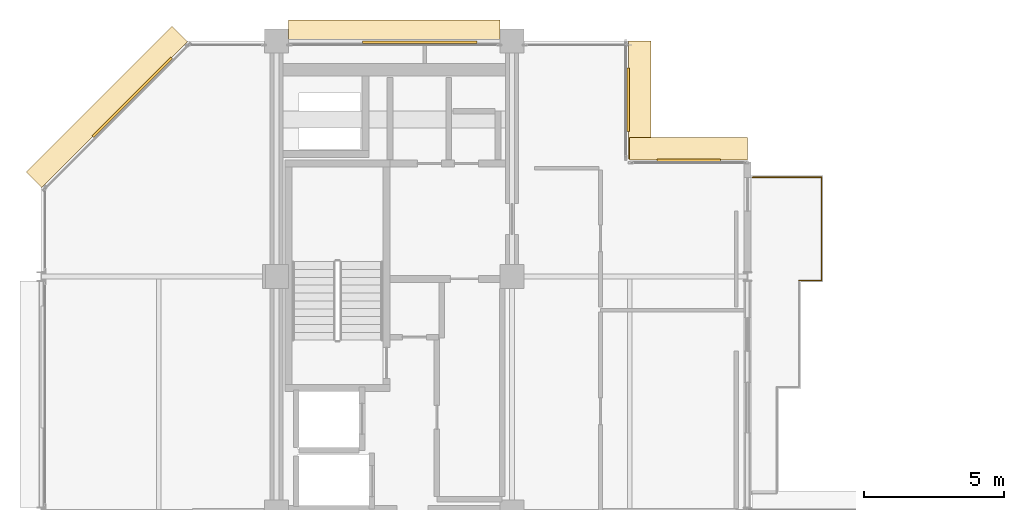
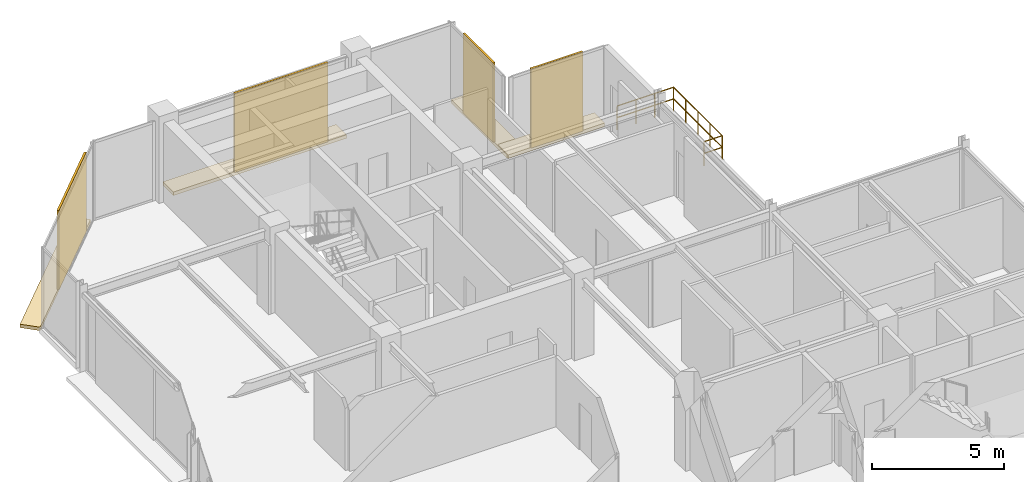
# One storey, part 25 of 25: 8 coverings, 3 railings.
"""IFC4 building model written with IfcOpenShell, lengths in metres."""

import ifcopenshell
import ifcopenshell.guid

model = None  # the IFC model being written
_history = None  # IfcOwnerHistory: only IFC2X3 demands one
_inside = {}  # id of a spatial element -> (the spatial element, [elements in it])
_under = {}  # id of a project, library or spatial element -> (it, [spatial elements below it])
_declared = {}  # id of a project -> (the project, [libraries it declares])
_typed = {}  # id of a type object -> (the type object, [elements of that type])
_made_of = {}  # id of a material, layer set ... -> (it, [elements and type objects made of it])


def new_model(schema):
    """Start an empty IFC model of exactly this schema.

    Asked for "IFC4X3", IfcOpenShell would pick the latest addendum, in which some entities
    have other attributes; the version numbers below select the first issue.
    IFC2X3 requires an IfcOwnerHistory on every rooted entity: one is made here for all.
    """
    global model, _history
    if schema == "IFC4X3":
        model = ifcopenshell.file(schema_version=(4, 3, 0, 0))
    else:
        model = ifcopenshell.file(schema=schema)
    _inside.clear()
    _under.clear()
    _declared.clear()
    _typed.clear()
    _made_of.clear()
    _history = None
    if model.schema == "IFC2X3":
        org = make("IfcOrganization", Name="unknown")
        user = make(
            "IfcPersonAndOrganization",
            ThePerson=make("IfcPerson", FamilyName="unknown"),
            TheOrganization=org,
        )
        app = make(
            "IfcApplication",
            ApplicationDeveloper=org,
            Version="unknown",
            ApplicationFullName="unknown",
            ApplicationIdentifier="unknown",
        )
        _history = make(
            "IfcOwnerHistory",
            OwningUser=user,
            OwningApplication=app,
            ChangeAction="ADDED",
            CreationDate=0,
        )
    return model


def make(cls, **values):
    """One entity of the class cls with the attributes given. An attribute that is None is left unset."""
    return model.create_entity(
        cls, **{name: value for name, value in values.items() if value is not None}
    )


def rooted(cls, **values):
    """An entity with a GlobalId (a new one), such as an element, a storey or a relation."""
    return make(cls, GlobalId=ifcopenshell.guid.new(), OwnerHistory=_history, **values)


def si_unit(unit_type, name, prefix=None):
    """IfcSIUnit, for example si_unit("LENGTHUNIT", "METRE", prefix="MILLI")."""
    return make("IfcSIUnit", UnitType=unit_type, Prefix=prefix, Name=name)


def assignment(units):
    """IfcUnitAssignment: the units of a project."""
    return None if units is None else make("IfcUnitAssignment", Units=units)


def point(xyz):
    """IfcCartesianPoint."""
    return None if xyz is None else make("IfcCartesianPoint", Coordinates=xyz)


def direction(xyz):
    """IfcDirection."""
    return None if xyz is None else make("IfcDirection", DirectionRatios=xyz)


def frame(location, z_axis=None, x_axis=None):
    """IfcAxis2Placement3D, a coordinate frame: its origin and axes. An axis left out is left unset."""
    return make(
        "IfcAxis2Placement3D",
        Location=point(location),
        Axis=direction(z_axis),
        RefDirection=direction(x_axis),
    )


def frame_2d(location, x_axis=None):
    """IfcAxis2Placement2D, a coordinate frame in the plane: its origin and x axis."""
    return make(
        "IfcAxis2Placement2D", Location=point(location), RefDirection=direction(x_axis)
    )


def origin():
    """The frame at (0, 0, 0) with its axes left unset."""
    return frame((0.0, 0.0, 0.0))


def origin_2d():
    """The frame at (0, 0) in the plane with its x axis left unset."""
    return frame_2d((0.0, 0.0))


def place(relative_to, where):
    """IfcLocalPlacement: puts the frame where relative to a parent placement (None: the world)."""
    return make(
        "IfcLocalPlacement", PlacementRelTo=relative_to, RelativePlacement=where
    )


def context(
    kind, dimensions, precision=None, world=None, true_north=None, identifier=None
):
    """IfcGeometricRepresentationContext, for example the 3D "Model" context."""
    return make(
        "IfcGeometricRepresentationContext",
        ContextIdentifier=identifier,
        ContextType=kind,
        CoordinateSpaceDimension=dimensions,
        Precision=precision,
        WorldCoordinateSystem=world,
        TrueNorth=true_north,
    )


def subcontext(parent, identifier, kind, view, scale=None):
    """IfcGeometricRepresentationSubContext, for example "Body" below "Model"."""
    return make(
        "IfcGeometricRepresentationSubContext",
        ContextIdentifier=identifier,
        ContextType=kind,
        ParentContext=parent,
        TargetScale=scale,
        TargetView=view,
    )


def project(units=None, contexts=None):
    """IfcProject with its units and contexts."""
    return rooted(
        "IfcProject",
        Name="project",
        RepresentationContexts=contexts,
        UnitsInContext=assignment(units),
    )


def spatial(cls, under=None, at=None, **own):
    """A site, building, storey or space (cls), placed at a placement, below another one or the project."""
    s = rooted(cls, ObjectPlacement=at, **own)
    if under is not None:
        _under.setdefault(under.id(), (under, []))[1].append(s)
    return s


def polyline(points):
    """IfcPolyline through the points."""
    return make("IfcPolyline", Points=[point(p) for p in points])


def profile(cls, at=None, kind="AREA", **sizes):
    """A parametric profile (cls). Its sizes go by their IFC names, for example OverallWidth=200.0."""
    return make(cls, ProfileType=kind, Position=at, **sizes)


def rectangle(**sizes):
    """IfcRectangleProfileDef."""
    return profile("IfcRectangleProfileDef", **sizes)


def circle(**sizes):
    """IfcCircleProfileDef."""
    return profile("IfcCircleProfileDef", **sizes)


def outline(outer, holes=None, kind="AREA"):
    """IfcArbitraryClosedProfileDef: a profile drawn as a closed curve; with holes, ...WithVoids."""
    if holes is None:
        return make("IfcArbitraryClosedProfileDef", ProfileType=kind, OuterCurve=outer)
    return make(
        "IfcArbitraryProfileDefWithVoids",
        ProfileType=kind,
        OuterCurve=outer,
        InnerCurves=holes,
    )


def extrude(swept, where, along, depth):
    """IfcExtrudedAreaSolid: the profile swept, set in the frame where, extruded along a direction by depth."""
    return make(
        "IfcExtrudedAreaSolid",
        SweptArea=swept,
        Position=where,
        ExtrudedDirection=direction(along),
        Depth=depth,
    )


def shape(context_of_items, identifier, shape_type, items):
    """IfcShapeRepresentation: the items that make up one representation, for example the "Body"."""
    return make(
        "IfcShapeRepresentation",
        ContextOfItems=context_of_items,
        RepresentationIdentifier=identifier,
        RepresentationType=shape_type,
        Items=items,
    )


def material(Name=None, Category=None):
    """IfcMaterial."""
    return make("IfcMaterial", Name=Name, Category=Category)


def layer(
    of_material, thickness, ventilated=None, Name=None, Category=None, Priority=None
):
    """IfcMaterialLayer: one layer of a wall or slab, of a material (None: an air gap)."""
    return make(
        "IfcMaterialLayer",
        Material=of_material,
        LayerThickness=thickness,
        IsVentilated=ventilated,
        Name=Name,
        Category=Category,
        Priority=Priority,
    )


def layer_set(layers, Name=None):
    """IfcMaterialLayerSet."""
    return make("IfcMaterialLayerSet", MaterialLayers=layers, LayerSetName=Name)


def made_of(thing, what):
    """Note that an element or type object is made of a material, layer set ...; save() writes the relation."""
    if what is not None:
        _made_of.setdefault(what.id(), (what, []))[1].append(thing)
    return thing


def type_object(cls, material=None, **own):
    """A type object (cls), such as IfcWallType, which elements share."""
    return made_of(rooted(cls, **own), material)


def element(
    cls,
    number,
    at=None,
    inside=None,
    cuts=None,
    type_object=None,
    material=None,
    context=None,
    identifier="Body",
    shape_type=None,
    held_by="IfcProductDefinitionShape",
    body=None,
    shapes=None,
    **own,
):
    """One element of the class cls, such as IfcWall. Its Tag is "e" and its number.

    at: its placement. inside: the storey or other place that contains it. cuts: it is an
    opening in that element (IfcRelVoidsElement). A single representation is given by context,
    identifier, shape_type and body (its items); several are given by shapes. held_by: the class
    of the entity that holds the representations. save() writes the other relations.
    """
    e = rooted(cls, Tag="e%d" % number, ObjectPlacement=at, **own)
    if body is not None:
        shapes = [shape(context, identifier, shape_type, body)]
    if shapes is not None:
        e.Representation = make(held_by, Representations=shapes)
    if inside is not None:
        _inside.setdefault(inside.id(), (inside, []))[1].append(e)
    if cuts is not None:
        rooted(
            "IfcRelVoidsElement", RelatingBuildingElement=cuts, RelatedOpeningElement=e
        )
    if type_object is not None:
        _typed.setdefault(type_object.id(), (type_object, []))[1].append(e)
    return made_of(e, material)


def aggregate(whole, parts):
    """IfcRelAggregates: a whole, such as a stair, and the parts it consists of."""
    return rooted("IfcRelAggregates", RelatingObject=whole, RelatedObjects=parts)


def save(model, path):
    """Write the relations noted so far, then the file.

    IfcRelAggregates (storeys below a building ...), IfcRelContainedInSpatialStructure (elements
    in a storey), IfcRelDefinesByType, IfcRelAssociatesMaterial and IfcRelDeclares: one each for
    every whole, place, type object, material and project.
    """
    for whole, parts in _under.values():
        aggregate(whole, parts)
    for where, things in _inside.values():
        rooted(
            "IfcRelContainedInSpatialStructure",
            RelatedElements=things,
            RelatingStructure=where,
        )
    for kind, things in _typed.values():
        rooted("IfcRelDefinesByType", RelatedObjects=things, RelatingType=kind)
    for what, things in _made_of.values():
        rooted("IfcRelAssociatesMaterial", RelatedObjects=things, RelatingMaterial=what)
    for by, libraries in _declared.values():
        rooted("IfcRelDeclares", RelatingContext=by, RelatedDefinitions=libraries)
    model.write(path)


model = new_model("IFC4")

# Units and contexts
model_context = context("Model", 3, precision=1e-05, world=origin(), true_north=direction((0.0, 1.0)))
body_context = subcontext(model_context, "Body", "Model", "MODEL_VIEW")
ifc_project = project(units=[si_unit("LENGTHUNIT", "METRE"), si_unit("AREAUNIT", "SQUARE_METRE"), si_unit("VOLUMEUNIT", "CUBIC_METRE"), si_unit("PLANEANGLEUNIT", "RADIAN"), si_unit("MASSUNIT", "GRAM", prefix="KILO")], contexts=[model_context])

# Site, building, storey
site_placement = place(None, origin())
site = spatial("IfcSite", under=ifc_project, at=site_placement, CompositionType="ELEMENT")
building_placement = place(site_placement, origin())
building = spatial("IfcBuilding", under=site, at=building_placement, Name="Nerrivon Quay Data Exchange", CompositionType="ELEMENT")
storey_placement = place(building_placement, frame((0.0, 0.0, 318.199951171875)))
storey = spatial("IfcBuildingStorey", under=building, at=storey_placement, Name="L76", CompositionType="ELEMENT", Elevation=318.199951171875)

# Coverings
ifc_material_1 = material(Name="Architectural terracotta ceramic", Category="masonry")
ifc_layer_1 = layer(ifc_material_1, 0.159912109375)
ifc_layer_set_1 = layer_set([ifc_layer_1], Name="Architectural terracotta ceramic")
covering_type_1 = type_object("IfcCoveringType", Name="COV-BLD-TERR", PredefinedType="CLADDING", material=ifc_layer_set_1)
covering_1_placement = place(storey_placement, frame((0.0, 0.0, -0.159912109375)))
element("IfcCovering", 1, at=covering_1_placement, inside=storey, type_object=covering_type_1, Name="L76 Horizontal Terracotta SOLAR SCREEN Blade", PredefinedType="CLADDING", context=body_context, shape_type="SweptSolid", body=[
    extrude(outline(polyline([(0.0283203125, 36.771728515625), (5.228271484375, 41.9716796875), (4.669677734375, 42.5302734375), (-0.5302734375, 37.330322265625), (0.0283203125, 36.771728515625)])), origin(), (0.0, 0.0, 1.0), 0.159912109375),
])
covering_2_placement = place(storey_placement, frame((0.0, 0.0, -0.159912109375)))
element("IfcCovering", 2, at=covering_2_placement, inside=storey, type_object=covering_type_1, Name="L76 Horizontal Terracotta SOLAR SCREEN Blade", PredefinedType="CLADDING", context=body_context, shape_type="SweptSolid", body=[
    extrude(outline(polyline([(8.824951171875, 41.9599609375), (16.375, 41.9599609375), (16.375, 42.75), (8.824951171875, 42.75), (8.824951171875, 41.9599609375)])), origin(), (0.0, 0.0, 1.0), 0.159912109375),
])
covering_3_placement = place(storey_placement, frame((0.0, 0.0, -0.159912109375)))
element("IfcCovering", 3, at=covering_3_placement, inside=storey, type_object=covering_type_1, Name="L76 Horizontal Terracotta SOLAR SCREEN Blade", PredefinedType="CLADDING", context=body_context, shape_type="SweptSolid", body=[
    extrude(outline(polyline([(20.9599609375, 42.0), (20.9599609375, 37.800048828125), (21.75, 37.800048828125), (21.75, 42.0), (20.9599609375, 42.0)])), origin(), (0.0, 0.0, 1.0), 0.159912109375),
])
covering_4_placement = place(storey_placement, frame((0.0, 0.0, -0.159912109375)))
element("IfcCovering", 4, at=covering_4_placement, inside=storey, type_object=covering_type_1, Name="L76 Horizontal Terracotta SOLAR SCREEN Blade", PredefinedType="CLADDING", context=body_context, shape_type="SweptSolid", body=[
    extrude(outline(polyline([(21.0, 37.760009765625), (25.199951171875, 37.760009765625), (25.199951171875, 38.550048828125), (21.0, 38.550048828125), (21.0, 37.760009765625)])), origin(), (0.0, 0.0, 1.0), 0.159912109375),
])
ifc_layer_2 = layer(ifc_material_1, 0.090087890625)
ifc_layer_set_2 = layer_set([ifc_layer_2], Name="Architectural terracotta ceramic")
covering_type_2 = type_object("IfcCoveringType", Name="COV-SCR-TERR", PredefinedType="CLADDING", material=ifc_layer_set_2)
covering_5_placement = place(storey_placement, frame((3.255859375, 39.9921875, 0.0), z_axis=(0.0, 0.0, 1.0), x_axis=(0.707106781187, 0.707106781187, 0.0)))
element("IfcCovering", 5, at=covering_5_placement, inside=storey, type_object=covering_type_2, Name="L76 Perforated Terracotta SOLAR SCREEN Cassette", PredefinedType="CLADDING", context=body_context, shape_type="SweptSolid", body=[
    extrude(rectangle(XDim=3.970947265625, YDim=0.090087890625, at=origin_2d()), origin(), (0.0, 0.0, 1.0), 3.64990234375),
])
covering_6_placement = place(storey_placement, frame((13.506103515625, 41.955078125, 0.0), z_axis=(0.0, 0.0, 1.0), x_axis=(1.0, 0.0, 0.0)))
element("IfcCovering", 6, at=covering_6_placement, inside=storey, type_object=covering_type_2, Name="L76 Perforated Terracotta SOLAR SCREEN Cassette", PredefinedType="CLADDING", context=body_context, shape_type="SweptSolid", body=[
    extrude(rectangle(XDim=4.076904296875, YDim=0.090087890625, at=origin_2d()), origin(), (0.0, 0.0, 1.0), 3.64990234375),
])
for number, where, z_axis, x_axis, name in (
    (7, (20.955078125, 39.89990234375, 0.0), (0.0, 0.0, 1.0), (0.0, -1.0, 0.0), "L76 Perforated Terracotta SOLAR SCREEN Cassette"),
    (8, (23.10009765625, 37.7548828125, 0.0), (0.0, 0.0, 1.0), (1.0, 0.0, 0.0), "L76 Perforated Terracotta SOLAR SCREEN Cassette"),
):
    element("IfcCovering", number, at=place(storey_placement, frame(where, z_axis=z_axis, x_axis=x_axis)), inside=storey, type_object=covering_type_2, Name=name, PredefinedType="CLADDING", context=body_context, shape_type="SweptSolid", body=[
        extrude(rectangle(XDim=2.26806640625, YDim=0.090087890625, at=origin_2d()), origin(), (0.0, 0.0, 1.0), 3.64990234375),
    ])

# Railings
ifc_material_2 = material(Name="Steel Grade C350L0 (350 MPa)", Category="steel")
railing_type = type_object("IfcRailingType", Name="RAIL-GUARD-GR2", PredefinedType="BALUSTRADE", material=ifc_material_2)
railing_1_placement = place(storey_placement, frame((25.3798828125, 37.139892578125, 0.0)))
element("IfcRailing", 9, at=railing_1_placement, inside=storey, type_object=railing_type, Name="L76 Verandah Balcony Guard 1.3 1", PredefinedType="BALUSTRADE", context=body_context, shape_type="SweptSolid", body=[
    extrude(circle(Radius=0.02392578125, at=origin_2d()), frame((0.0, 0.0, 1.09619140625), z_axis=(1.0, 0.0, 0.0), x_axis=(0.0, 1.0, 0.0)), (0.0, 0.0, 1.0), 2.460205078125),
    extrude(circle(Radius=0.02392578125, at=origin_2d()), frame((0.0, 0.0, 0.56005859375), z_axis=(1.0, 0.0, 0.0), x_axis=(0.0, 1.0, 0.0)), (0.0, 0.0, 1.0), 2.460205078125),
    extrude(circle(Radius=0.02099609375, at=origin_2d()), origin(), (0.0, 0.0, 1.0), 1.072021484375),
    extrude(circle(Radius=0.02099609375, at=origin_2d()), frame((0.820068359375, 0.0, 0.0)), (0.0, 0.0, 1.0), 1.072021484375),
    extrude(circle(Radius=0.02099609375, at=origin_2d()), frame((1.64013671875, 0.0, 0.0)), (0.0, 0.0, 1.0), 1.072021484375),
    extrude(circle(Radius=0.02099609375, at=origin_2d()), frame((2.460205078125, 0.0, 0.0)), (0.0, 0.0, 1.0), 1.072021484375),
])
railing_2_placement = place(storey_placement, frame((27.840087890625, 37.139892578125, 0.0)))
element("IfcRailing", 10, at=railing_2_placement, inside=storey, type_object=railing_type, Name="L76 Verandah Balcony Guard 1.4 1", PredefinedType="BALUSTRADE", context=body_context, shape_type="SweptSolid", body=[
    extrude(circle(Radius=0.02392578125, at=origin_2d()), frame((0.0, 0.0, 1.09619140625), z_axis=(0.0, -1.0, 0.0), x_axis=(1.0, 0.0, 0.0)), (0.0, 0.0, 1.0), 3.679931640625),
    extrude(circle(Radius=0.02392578125, at=origin_2d()), frame((0.0, 0.0, 0.56005859375), z_axis=(0.0, -1.0, 0.0), x_axis=(1.0, 0.0, 0.0)), (0.0, 0.0, 1.0), 3.679931640625),
    extrude(circle(Radius=0.02099609375, at=origin_2d()), origin(), (0.0, 0.0, 1.0), 1.072021484375),
    extrude(circle(Radius=0.02099609375, at=origin_2d()), frame((0.0, -0.919921875, 0.0)), (0.0, 0.0, 1.0), 1.072021484375),
    extrude(circle(Radius=0.02099609375, at=origin_2d()), frame((0.0, -1.83984375, 0.0)), (0.0, 0.0, 1.0), 1.072021484375),
    extrude(circle(Radius=0.02099609375, at=origin_2d()), frame((0.0, -2.760009765625, 0.0)), (0.0, 0.0, 1.0), 1.072021484375),
    extrude(circle(Radius=0.02099609375, at=origin_2d()), frame((0.0, -3.679931640625, 0.0)), (0.0, 0.0, 1.0), 1.072021484375),
])
railing_3_placement = place(storey_placement, frame((27.840087890625, 33.4599609375, 0.0)))
element("IfcRailing", 11, at=railing_3_placement, inside=storey, type_object=railing_type, Name="L76 Verandah Balcony Guard 1.5 1", PredefinedType="BALUSTRADE", context=body_context, shape_type="SweptSolid", body=[
    extrude(circle(Radius=0.02392578125, at=origin_2d()), frame((0.0, 0.0, 1.09619140625), z_axis=(-1.0, 0.0, 0.0), x_axis=(0.0, -1.0, 0.0)), (0.0, 0.0, 1.0), 0.800048828125),
    extrude(circle(Radius=0.02392578125, at=origin_2d()), frame((0.0, 0.0, 0.56005859375), z_axis=(-1.0, 0.0, 0.0), x_axis=(0.0, -1.0, 0.0)), (0.0, 0.0, 1.0), 0.800048828125),
    extrude(circle(Radius=0.02099609375, at=origin_2d()), origin(), (0.0, 0.0, 1.0), 1.072021484375),
    extrude(circle(Radius=0.02099609375, at=origin_2d()), frame((-0.800048828125, 0.0, 0.0)), (0.0, 0.0, 1.0), 1.072021484375),
])

save(model, "model.ifc")
